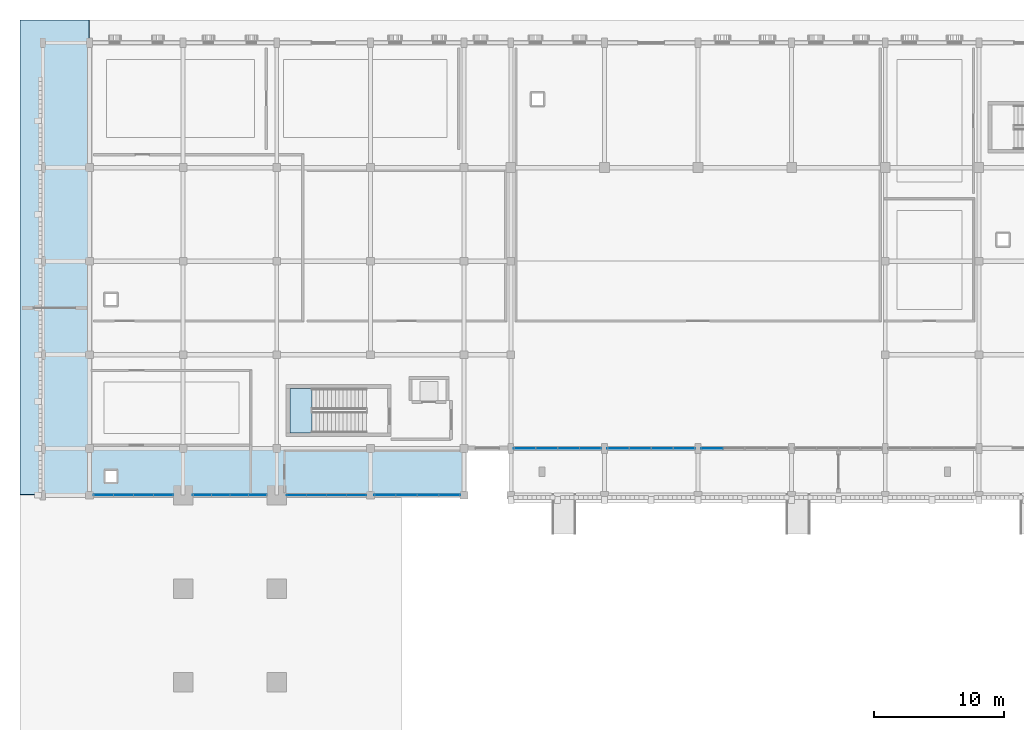
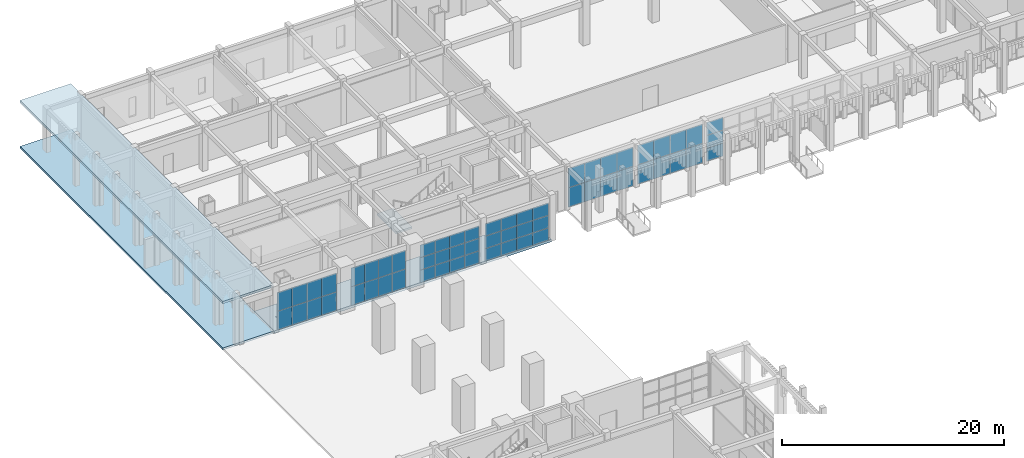
# One storey, part 29 of 72: 59 plates, 4 slabs, 8 elements without a shape of their own.
"""IFC4 building model written with IfcOpenShell, lengths in metres."""

from ifc_helpers import new_model, si_unit, direction, frame, origin, origin_2d, place, context, subcontext, project, spatial, polyline, rectangle, outline, extrude, material, layer, layer_set, type_object, element, aggregate, save


model = new_model("IFC4")

# Units and contexts
model_context = context("Model", 3, precision=1e-05, world=origin(), true_north=direction((0.0, 1.0)))
body_context = subcontext(model_context, "Body", "Model", "MODEL_VIEW")
ifc_project = project(units=[si_unit("LENGTHUNIT", "METRE"), si_unit("AREAUNIT", "SQUARE_METRE"), si_unit("VOLUMEUNIT", "CUBIC_METRE"), si_unit("PLANEANGLEUNIT", "RADIAN"), si_unit("MASSUNIT", "GRAM", prefix="KILO")], contexts=[model_context])

# Site, building, storey
site_placement = place(None, origin())
site = spatial("IfcSite", under=ifc_project, at=site_placement, CompositionType="ELEMENT")
building_placement = place(site_placement, origin())
building = spatial("IfcBuilding", under=site, at=building_placement, Name="Nzembalo Square Collegiate School", CompositionType="ELEMENT")
storey_placement = place(building_placement, origin())
storey = spatial("IfcBuildingStorey", under=building, at=storey_placement, Name="L00", CompositionType="ELEMENT", Elevation=0.0)

# Curtain wall, plates
ifc_material_1 = material(Name="Aluminium 6060-T66", Category="aluminium")
curtain_wall_type_1 = type_object("IfcCurtainWallType", Name="CW-05", PredefinedType="USERDEFINED", material=ifc_material_1)
curtain_wall_1_placement = place(storey_placement, origin())
curtain_wall_1 = element("IfcCurtainWall", 1, at=curtain_wall_1_placement, inside=storey, type_object=curtain_wall_type_1, Name="Curtain wall CW-05 cw:L00:020", ObjectType="LANCET", PredefinedType="USERDEFINED")
ifc_material_2 = material(Name="Laminated solar-control double glazing", Category="glass")
ifc_layer_1 = layer(ifc_material_2, 0.028076171875, Name="Laminated solar-control double glazing")
ifc_layer_set_1 = layer_set([ifc_layer_1], Name="Laminated solar-control double glazing")
plate_type_1 = type_object("IfcPlateType", Name="PN01", PredefinedType="CURTAIN_PANEL", material=ifc_layer_set_1)
plate_1_placement = place(storey_placement, frame((24.3203125, 79.199951171875, 0.00390625), z_axis=(0.0, 0.0, 1.0), x_axis=(1.0, 0.0, 0.0)))
plate_1 = element("IfcPlate", 2, at=plate_1_placement, type_object=plate_type_1, Name="PN01 glazed panel 1-1", PredefinedType="CURTAIN_PANEL", context=body_context, shape_type="SweptSolid", body=[
    extrude(rectangle(XDim=1.528564453125, YDim=0.028076171875, at=origin_2d()), origin(), (0.0, 0.0, 1.0), 1.3701171875),
])
plate_2_placement = place(storey_placement, frame((25.856689453125, 79.199951171875, 0.00390625), z_axis=(0.0, 0.0, 1.0), x_axis=(1.0, 0.0, 0.0)))
plate_2 = element("IfcPlate", 3, at=plate_2_placement, type_object=plate_type_1, Name="PN01 glazed panel 1-2", PredefinedType="CURTAIN_PANEL", context=body_context, shape_type="SweptSolid", body=[
    extrude(rectangle(XDim=1.528564453125, YDim=0.028076171875, at=origin_2d()), origin(), (0.0, 0.0, 1.0), 1.3701171875),
])
plate_3_placement = place(storey_placement, frame((27.393310546875, 79.199951171875, 0.00390625), z_axis=(0.0, 0.0, 1.0), x_axis=(1.0, 0.0, 0.0)))
plate_3 = element("IfcPlate", 4, at=plate_3_placement, type_object=plate_type_1, Name="PN01 glazed panel 1-3", PredefinedType="CURTAIN_PANEL", context=body_context, shape_type="SweptSolid", body=[
    extrude(rectangle(XDim=1.528564453125, YDim=0.028076171875, at=origin_2d()), origin(), (0.0, 0.0, 1.0), 1.3701171875),
])
plate_4_placement = place(storey_placement, frame((28.9296875, 79.199951171875, 0.00390625), z_axis=(0.0, 0.0, 1.0), x_axis=(1.0, 0.0, 0.0)))
plate_4 = element("IfcPlate", 5, at=plate_4_placement, type_object=plate_type_1, Name="PN01 glazed panel 1-4", PredefinedType="CURTAIN_PANEL", context=body_context, shape_type="SweptSolid", body=[
    extrude(rectangle(XDim=1.528564453125, YDim=0.028076171875, at=origin_2d()), origin(), (0.0, 0.0, 1.0), 1.3701171875),
])
plate_5_placement = place(storey_placement, frame((24.3203125, 79.199951171875, 1.3818359375), z_axis=(0.0, 0.0, 1.0), x_axis=(1.0, 0.0, 0.0)))
plate_5 = element("IfcPlate", 6, at=plate_5_placement, type_object=plate_type_1, Name="PN01 glazed panel 2-1", PredefinedType="CURTAIN_PANEL", context=body_context, shape_type="SweptSolid", body=[
    extrude(rectangle(XDim=1.528564453125, YDim=0.028076171875, at=origin_2d()), origin(), (0.0, 0.0, 1.0), 1.3701171875),
])
plate_6_placement = place(storey_placement, frame((25.856689453125, 79.199951171875, 1.3818359375), z_axis=(0.0, 0.0, 1.0), x_axis=(1.0, 0.0, 0.0)))
plate_6 = element("IfcPlate", 7, at=plate_6_placement, type_object=plate_type_1, Name="PN01 glazed panel 2-2", PredefinedType="CURTAIN_PANEL", context=body_context, shape_type="SweptSolid", body=[
    extrude(rectangle(XDim=1.528564453125, YDim=0.028076171875, at=origin_2d()), origin(), (0.0, 0.0, 1.0), 1.3701171875),
])
plate_7_placement = place(storey_placement, frame((27.393310546875, 79.199951171875, 1.3818359375), z_axis=(0.0, 0.0, 1.0), x_axis=(1.0, 0.0, 0.0)))
plate_7 = element("IfcPlate", 8, at=plate_7_placement, type_object=plate_type_1, Name="PN01 glazed panel 2-3", PredefinedType="CURTAIN_PANEL", context=body_context, shape_type="SweptSolid", body=[
    extrude(rectangle(XDim=1.528564453125, YDim=0.028076171875, at=origin_2d()), origin(), (0.0, 0.0, 1.0), 1.3701171875),
])
plate_8_placement = place(storey_placement, frame((28.9296875, 79.199951171875, 1.3818359375), z_axis=(0.0, 0.0, 1.0), x_axis=(1.0, 0.0, 0.0)))
plate_8 = element("IfcPlate", 9, at=plate_8_placement, type_object=plate_type_1, Name="PN01 glazed panel 2-4", PredefinedType="CURTAIN_PANEL", context=body_context, shape_type="SweptSolid", body=[
    extrude(rectangle(XDim=1.528564453125, YDim=0.028076171875, at=origin_2d()), origin(), (0.0, 0.0, 1.0), 1.3701171875),
])
plate_9_placement = place(storey_placement, frame((24.3203125, 79.199951171875, 2.760009765625), z_axis=(0.0, 0.0, 1.0), x_axis=(1.0, 0.0, 0.0)))
plate_9 = element("IfcPlate", 10, at=plate_9_placement, type_object=plate_type_1, Name="PN01 glazed panel 3-1", PredefinedType="CURTAIN_PANEL", context=body_context, shape_type="SweptSolid", body=[
    extrude(rectangle(XDim=1.528564453125, YDim=0.028076171875, at=origin_2d()), origin(), (0.0, 0.0, 1.0), 1.3701171875),
])
plate_10_placement = place(storey_placement, frame((25.856689453125, 79.199951171875, 2.760009765625), z_axis=(0.0, 0.0, 1.0), x_axis=(1.0, 0.0, 0.0)))
plate_10 = element("IfcPlate", 11, at=plate_10_placement, type_object=plate_type_1, Name="PN01 glazed panel 3-2", PredefinedType="CURTAIN_PANEL", context=body_context, shape_type="SweptSolid", body=[
    extrude(rectangle(XDim=1.528564453125, YDim=0.028076171875, at=origin_2d()), origin(), (0.0, 0.0, 1.0), 1.3701171875),
])
plate_11_placement = place(storey_placement, frame((27.393310546875, 79.199951171875, 2.760009765625), z_axis=(0.0, 0.0, 1.0), x_axis=(1.0, 0.0, 0.0)))
plate_11 = element("IfcPlate", 12, at=plate_11_placement, type_object=plate_type_1, Name="PN01 glazed panel 3-3", PredefinedType="CURTAIN_PANEL", context=body_context, shape_type="SweptSolid", body=[
    extrude(rectangle(XDim=1.528564453125, YDim=0.028076171875, at=origin_2d()), origin(), (0.0, 0.0, 1.0), 1.3701171875),
])
plate_12_placement = place(storey_placement, frame((28.9296875, 79.199951171875, 2.760009765625), z_axis=(0.0, 0.0, 1.0), x_axis=(1.0, 0.0, 0.0)))
plate_12 = element("IfcPlate", 13, at=plate_12_placement, type_object=plate_type_1, Name="PN01 glazed panel 3-4", PredefinedType="CURTAIN_PANEL", context=body_context, shape_type="SweptSolid", body=[
    extrude(rectangle(XDim=1.528564453125, YDim=0.028076171875, at=origin_2d()), origin(), (0.0, 0.0, 1.0), 1.3701171875),
])
aggregate(curtain_wall_1, [plate_1, plate_2, plate_3, plate_4, plate_5, plate_6, plate_7, plate_8, plate_9, plate_10, plate_11, plate_12])

curtain_wall_2_placement = place(storey_placement, origin())
curtain_wall_2 = element("IfcCurtainWall", 14, at=curtain_wall_2_placement, inside=storey, type_object=curtain_wall_type_1, Name="Curtain wall CW-05 cw:L00:028", ObjectType="LANCET", PredefinedType="USERDEFINED")
plate_13_placement = place(storey_placement, frame((56.270263671875, 82.800048828125, 0.004150390625), z_axis=(0.0, 0.0, 1.0), x_axis=(1.0, 0.0, 0.0)))
plate_13 = element("IfcPlate", 15, at=plate_13_placement, type_object=plate_type_1, Name="PN01 glazed panel 1-1", PredefinedType="CURTAIN_PANEL", context=body_context, shape_type="SweptSolid", body=[
    extrude(rectangle(XDim=1.678466796875, YDim=0.028076171875, at=origin_2d()), origin(), (0.0, 0.0, 1.0), 1.419921875),
])
plate_14_placement = place(storey_placement, frame((56.270263671875, 82.800048828125, 1.43212890625), z_axis=(0.0, 0.0, 1.0), x_axis=(1.0, 0.0, 0.0)))
plate_14 = element("IfcPlate", 16, at=plate_14_placement, type_object=plate_type_1, Name="PN01 glazed panel 2-1", PredefinedType="CURTAIN_PANEL", context=body_context, shape_type="SweptSolid", body=[
    extrude(rectangle(XDim=1.678466796875, YDim=0.028076171875, at=origin_2d()), origin(), (0.0, 0.0, 1.0), 1.419921875),
])
plate_15_placement = place(storey_placement, frame((56.270263671875, 82.800048828125, 2.860107421875), z_axis=(0.0, 0.0, 1.0), x_axis=(1.0, 0.0, 0.0)))
plate_15 = element("IfcPlate", 17, at=plate_15_placement, type_object=plate_type_1, Name="PN01 glazed panel 3-1", PredefinedType="CURTAIN_PANEL", context=body_context, shape_type="SweptSolid", body=[
    extrude(rectangle(XDim=1.678466796875, YDim=0.028076171875, at=origin_2d()), origin(), (0.0, 0.0, 1.0), 1.419921875),
])
aggregate(curtain_wall_2, [plate_13, plate_14, plate_15])

ifc_material_3 = material(Name="Aluminium 6060-T66", Category="aluminium")
curtain_wall_type_2 = type_object("IfcCurtainWallType", Name="CW-03", PredefinedType="USERDEFINED", material=ifc_material_3)
curtain_wall_3_placement = place(storey_placement, origin())
curtain_wall_3 = element("IfcCurtainWall", 18, at=curtain_wall_3_placement, inside=storey, type_object=curtain_wall_type_2, Name="Curtain wall CW-03 cw:L00:018", ObjectType="UNITISED", PredefinedType="USERDEFINED")
ifc_material_4 = material(Name="Acoustic laminated solar-control glazing", Category="glass")
ifc_layer_2 = layer(ifc_material_4, 0.031982421875, Name="Acoustic laminated solar-control glazing")
ifc_layer_set_2 = layer_set([ifc_layer_2], Name="Acoustic laminated solar-control glazing")
plate_type_2 = type_object("IfcPlateType", Name="PN02", PredefinedType="CURTAIN_PANEL", material=ifc_layer_set_2)
plate_16_placement = place(storey_placement, frame((9.47021484375, 79.199951171875, 0.00390625), z_axis=(0.0, 0.0, 1.0), x_axis=(1.0, 0.0, 0.0)))
plate_16 = element("IfcPlate", 19, at=plate_16_placement, type_object=plate_type_2, Name="PN02 glazed panel 1-1", PredefinedType="CURTAIN_PANEL", context=body_context, shape_type="SweptSolid", body=[
    extrude(rectangle(XDim=1.528564453125, YDim=0.031982421875, at=origin_2d()), origin(), (0.0, 0.0, 1.0), 2.05908203125),
])
plate_17_placement = place(storey_placement, frame((11.0068359375, 79.199951171875, 0.00390625), z_axis=(0.0, 0.0, 1.0), x_axis=(1.0, 0.0, 0.0)))
plate_17 = element("IfcPlate", 20, at=plate_17_placement, type_object=plate_type_2, Name="PN02 glazed panel 1-2", PredefinedType="CURTAIN_PANEL", context=body_context, shape_type="SweptSolid", body=[
    extrude(rectangle(XDim=1.528564453125, YDim=0.031982421875, at=origin_2d()), origin(), (0.0, 0.0, 1.0), 2.05908203125),
])
plate_18_placement = place(storey_placement, frame((12.543212890625, 79.199951171875, 0.00390625), z_axis=(0.0, 0.0, 1.0), x_axis=(1.0, 0.0, 0.0)))
plate_18 = element("IfcPlate", 21, at=plate_18_placement, type_object=plate_type_2, Name="PN02 glazed panel 1-3", PredefinedType="CURTAIN_PANEL", context=body_context, shape_type="SweptSolid", body=[
    extrude(rectangle(XDim=1.528564453125, YDim=0.031982421875, at=origin_2d()), origin(), (0.0, 0.0, 1.0), 2.05908203125),
])
plate_19_placement = place(storey_placement, frame((14.079833984375, 79.199951171875, 0.00390625), z_axis=(0.0, 0.0, 1.0), x_axis=(1.0, 0.0, 0.0)))
plate_19 = element("IfcPlate", 22, at=plate_19_placement, type_object=plate_type_2, Name="PN02 glazed panel 1-4", PredefinedType="CURTAIN_PANEL", context=body_context, shape_type="SweptSolid", body=[
    extrude(rectangle(XDim=1.528564453125, YDim=0.031982421875, at=origin_2d()), origin(), (0.0, 0.0, 1.0), 2.05908203125),
])
plate_20_placement = place(storey_placement, frame((9.47021484375, 79.199951171875, 2.071044921875), z_axis=(0.0, 0.0, 1.0), x_axis=(1.0, 0.0, 0.0)))
plate_20 = element("IfcPlate", 23, at=plate_20_placement, type_object=plate_type_2, Name="PN02 glazed panel 2-1", PredefinedType="CURTAIN_PANEL", context=body_context, shape_type="SweptSolid", body=[
    extrude(rectangle(XDim=1.528564453125, YDim=0.031982421875, at=origin_2d()), origin(), (0.0, 0.0, 1.0), 2.05908203125),
])
plate_21_placement = place(storey_placement, frame((11.0068359375, 79.199951171875, 2.071044921875), z_axis=(0.0, 0.0, 1.0), x_axis=(1.0, 0.0, 0.0)))
plate_21 = element("IfcPlate", 24, at=plate_21_placement, type_object=plate_type_2, Name="PN02 glazed panel 2-2", PredefinedType="CURTAIN_PANEL", context=body_context, shape_type="SweptSolid", body=[
    extrude(rectangle(XDim=1.528564453125, YDim=0.031982421875, at=origin_2d()), origin(), (0.0, 0.0, 1.0), 2.05908203125),
])
plate_22_placement = place(storey_placement, frame((12.543212890625, 79.199951171875, 2.071044921875), z_axis=(0.0, 0.0, 1.0), x_axis=(1.0, 0.0, 0.0)))
plate_22 = element("IfcPlate", 25, at=plate_22_placement, type_object=plate_type_2, Name="PN02 glazed panel 2-3", PredefinedType="CURTAIN_PANEL", context=body_context, shape_type="SweptSolid", body=[
    extrude(rectangle(XDim=1.528564453125, YDim=0.031982421875, at=origin_2d()), origin(), (0.0, 0.0, 1.0), 2.05908203125),
])
plate_23_placement = place(storey_placement, frame((14.079833984375, 79.199951171875, 2.071044921875), z_axis=(0.0, 0.0, 1.0), x_axis=(1.0, 0.0, 0.0)))
plate_23 = element("IfcPlate", 26, at=plate_23_placement, type_object=plate_type_2, Name="PN02 glazed panel 2-4", PredefinedType="CURTAIN_PANEL", context=body_context, shape_type="SweptSolid", body=[
    extrude(rectangle(XDim=1.528564453125, YDim=0.031982421875, at=origin_2d()), origin(), (0.0, 0.0, 1.0), 2.05908203125),
])
aggregate(curtain_wall_3, [plate_16, plate_17, plate_18, plate_19, plate_20, plate_21, plate_22, plate_23])

ifc_material_5 = material(Name="Aluminium 6060-T66", Category="aluminium")
curtain_wall_type_3 = type_object("IfcCurtainWallType", Name="CW-04", PredefinedType="USERDEFINED", material=ifc_material_5)
curtain_wall_4_placement = place(storey_placement, origin())
curtain_wall_4 = element("IfcCurtainWall", 27, at=curtain_wall_4_placement, inside=storey, type_object=curtain_wall_type_3, Name="Curtain wall CW-04 cw:L00:019", ObjectType="UNITISED", PredefinedType="USERDEFINED")
plate_24_placement = place(storey_placement, frame((17.06396484375, 79.199951171875, 0.00390625), z_axis=(0.0, 0.0, 1.0), x_axis=(1.0, 0.0, 0.0)))
plate_24 = element("IfcPlate", 28, at=plate_24_placement, type_object=plate_type_2, Name="PN02 glazed panel 1-1", PredefinedType="CURTAIN_PANEL", context=body_context, shape_type="SweptSolid", body=[
    extrude(rectangle(XDim=1.416015625, YDim=0.031982421875, at=origin_2d()), origin(), (0.0, 0.0, 1.0), 2.05908203125),
])
plate_25_placement = place(storey_placement, frame((18.488037109375, 79.199951171875, 0.00390625), z_axis=(0.0, 0.0, 1.0), x_axis=(1.0, 0.0, 0.0)))
plate_25 = element("IfcPlate", 29, at=plate_25_placement, type_object=plate_type_2, Name="PN02 glazed panel 1-2", PredefinedType="CURTAIN_PANEL", context=body_context, shape_type="SweptSolid", body=[
    extrude(rectangle(XDim=1.416015625, YDim=0.031982421875, at=origin_2d()), origin(), (0.0, 0.0, 1.0), 2.05908203125),
])
plate_26_placement = place(storey_placement, frame((19.912109375, 79.199951171875, 0.00390625), z_axis=(0.0, 0.0, 1.0), x_axis=(1.0, 0.0, 0.0)))
plate_26 = element("IfcPlate", 30, at=plate_26_placement, type_object=plate_type_2, Name="PN02 glazed panel 1-3", PredefinedType="CURTAIN_PANEL", context=body_context, shape_type="SweptSolid", body=[
    extrude(rectangle(XDim=1.416015625, YDim=0.031982421875, at=origin_2d()), origin(), (0.0, 0.0, 1.0), 2.05908203125),
])
plate_27_placement = place(storey_placement, frame((21.3359375, 79.199951171875, 0.00390625), z_axis=(0.0, 0.0, 1.0), x_axis=(1.0, 0.0, 0.0)))
plate_27 = element("IfcPlate", 31, at=plate_27_placement, type_object=plate_type_2, Name="PN02 glazed panel 1-4", PredefinedType="CURTAIN_PANEL", context=body_context, shape_type="SweptSolid", body=[
    extrude(rectangle(XDim=1.416015625, YDim=0.031982421875, at=origin_2d()), origin(), (0.0, 0.0, 1.0), 2.05908203125),
])
plate_28_placement = place(storey_placement, frame((17.06396484375, 79.199951171875, 2.071044921875), z_axis=(0.0, 0.0, 1.0), x_axis=(1.0, 0.0, 0.0)))
plate_28 = element("IfcPlate", 32, at=plate_28_placement, type_object=plate_type_2, Name="PN02 glazed panel 2-1", PredefinedType="CURTAIN_PANEL", context=body_context, shape_type="SweptSolid", body=[
    extrude(rectangle(XDim=1.416015625, YDim=0.031982421875, at=origin_2d()), origin(), (0.0, 0.0, 1.0), 2.05908203125),
])
plate_29_placement = place(storey_placement, frame((18.488037109375, 79.199951171875, 2.071044921875), z_axis=(0.0, 0.0, 1.0), x_axis=(1.0, 0.0, 0.0)))
plate_29 = element("IfcPlate", 33, at=plate_29_placement, type_object=plate_type_2, Name="PN02 glazed panel 2-2", PredefinedType="CURTAIN_PANEL", context=body_context, shape_type="SweptSolid", body=[
    extrude(rectangle(XDim=1.416015625, YDim=0.031982421875, at=origin_2d()), origin(), (0.0, 0.0, 1.0), 2.05908203125),
])
plate_30_placement = place(storey_placement, frame((19.912109375, 79.199951171875, 2.071044921875), z_axis=(0.0, 0.0, 1.0), x_axis=(1.0, 0.0, 0.0)))
plate_30 = element("IfcPlate", 34, at=plate_30_placement, type_object=plate_type_2, Name="PN02 glazed panel 2-3", PredefinedType="CURTAIN_PANEL", context=body_context, shape_type="SweptSolid", body=[
    extrude(rectangle(XDim=1.416015625, YDim=0.031982421875, at=origin_2d()), origin(), (0.0, 0.0, 1.0), 2.05908203125),
])
plate_31_placement = place(storey_placement, frame((21.3359375, 79.199951171875, 2.071044921875), z_axis=(0.0, 0.0, 1.0), x_axis=(1.0, 0.0, 0.0)))
plate_31 = element("IfcPlate", 35, at=plate_31_placement, type_object=plate_type_2, Name="PN02 glazed panel 2-4", PredefinedType="CURTAIN_PANEL", context=body_context, shape_type="SweptSolid", body=[
    extrude(rectangle(XDim=1.416015625, YDim=0.031982421875, at=origin_2d()), origin(), (0.0, 0.0, 1.0), 2.05908203125),
])
aggregate(curtain_wall_4, [plate_24, plate_25, plate_26, plate_27, plate_28, plate_29, plate_30, plate_31])

ifc_material_6 = material(Name="Aluminium 6060-T66", Category="aluminium")
curtain_wall_type_4 = type_object("IfcCurtainWallType", Name="CW-06", PredefinedType="USERDEFINED", material=ifc_material_6)
curtain_wall_5_placement = place(storey_placement, origin())
curtain_wall_5 = element("IfcCurtainWall", 36, at=curtain_wall_5_placement, inside=storey, type_object=curtain_wall_type_4, Name="Curtain wall CW-06 cw:L00:021", ObjectType="LANCET", PredefinedType="USERDEFINED")
plate_32_placement = place(storey_placement, frame((31.12646484375, 79.199951171875, 0.00390625), z_axis=(0.0, 0.0, 1.0), x_axis=(1.0, 0.0, 0.0)))
plate_32 = element("IfcPlate", 37, at=plate_32_placement, type_object=plate_type_2, Name="PN02 glazed panel 1-1", PredefinedType="CURTAIN_PANEL", context=body_context, shape_type="SweptSolid", body=[
    extrude(rectangle(XDim=1.64111328125, YDim=0.031982421875, at=origin_2d()), origin(), (0.0, 0.0, 1.0), 1.3701171875),
])
plate_33_placement = place(storey_placement, frame((32.775390625, 79.199951171875, 0.00390625), z_axis=(0.0, 0.0, 1.0), x_axis=(1.0, 0.0, 0.0)))
plate_33 = element("IfcPlate", 38, at=plate_33_placement, type_object=plate_type_2, Name="PN02 glazed panel 1-2", PredefinedType="CURTAIN_PANEL", context=body_context, shape_type="SweptSolid", body=[
    extrude(rectangle(XDim=1.64111328125, YDim=0.031982421875, at=origin_2d()), origin(), (0.0, 0.0, 1.0), 1.3701171875),
])
plate_34_placement = place(storey_placement, frame((34.424560546875, 79.199951171875, 0.00390625), z_axis=(0.0, 0.0, 1.0), x_axis=(1.0, 0.0, 0.0)))
plate_34 = element("IfcPlate", 39, at=plate_34_placement, type_object=plate_type_2, Name="PN02 glazed panel 1-3", PredefinedType="CURTAIN_PANEL", context=body_context, shape_type="SweptSolid", body=[
    extrude(rectangle(XDim=1.64111328125, YDim=0.031982421875, at=origin_2d()), origin(), (0.0, 0.0, 1.0), 1.3701171875),
])
plate_35_placement = place(storey_placement, frame((36.073486328125, 79.199951171875, 0.00390625), z_axis=(0.0, 0.0, 1.0), x_axis=(1.0, 0.0, 0.0)))
plate_35 = element("IfcPlate", 40, at=plate_35_placement, type_object=plate_type_2, Name="PN02 glazed panel 1-4", PredefinedType="CURTAIN_PANEL", context=body_context, shape_type="SweptSolid", body=[
    extrude(rectangle(XDim=1.64111328125, YDim=0.031982421875, at=origin_2d()), origin(), (0.0, 0.0, 1.0), 1.3701171875),
])
plate_36_placement = place(storey_placement, frame((31.12646484375, 79.199951171875, 1.3818359375), z_axis=(0.0, 0.0, 1.0), x_axis=(1.0, 0.0, 0.0)))
plate_36 = element("IfcPlate", 41, at=plate_36_placement, type_object=plate_type_2, Name="PN02 glazed panel 2-1", PredefinedType="CURTAIN_PANEL", context=body_context, shape_type="SweptSolid", body=[
    extrude(rectangle(XDim=1.64111328125, YDim=0.031982421875, at=origin_2d()), origin(), (0.0, 0.0, 1.0), 1.3701171875),
])
plate_37_placement = place(storey_placement, frame((32.775390625, 79.199951171875, 1.3818359375), z_axis=(0.0, 0.0, 1.0), x_axis=(1.0, 0.0, 0.0)))
plate_37 = element("IfcPlate", 42, at=plate_37_placement, type_object=plate_type_2, Name="PN02 glazed panel 2-2", PredefinedType="CURTAIN_PANEL", context=body_context, shape_type="SweptSolid", body=[
    extrude(rectangle(XDim=1.64111328125, YDim=0.031982421875, at=origin_2d()), origin(), (0.0, 0.0, 1.0), 1.3701171875),
])
plate_38_placement = place(storey_placement, frame((34.424560546875, 79.199951171875, 1.3818359375), z_axis=(0.0, 0.0, 1.0), x_axis=(1.0, 0.0, 0.0)))
plate_38 = element("IfcPlate", 43, at=plate_38_placement, type_object=plate_type_2, Name="PN02 glazed panel 2-3", PredefinedType="CURTAIN_PANEL", context=body_context, shape_type="SweptSolid", body=[
    extrude(rectangle(XDim=1.64111328125, YDim=0.031982421875, at=origin_2d()), origin(), (0.0, 0.0, 1.0), 1.3701171875),
])
plate_39_placement = place(storey_placement, frame((36.073486328125, 79.199951171875, 1.3818359375), z_axis=(0.0, 0.0, 1.0), x_axis=(1.0, 0.0, 0.0)))
plate_39 = element("IfcPlate", 44, at=plate_39_placement, type_object=plate_type_2, Name="PN02 glazed panel 2-4", PredefinedType="CURTAIN_PANEL", context=body_context, shape_type="SweptSolid", body=[
    extrude(rectangle(XDim=1.64111328125, YDim=0.031982421875, at=origin_2d()), origin(), (0.0, 0.0, 1.0), 1.3701171875),
])
plate_40_placement = place(storey_placement, frame((31.12646484375, 79.199951171875, 2.760009765625), z_axis=(0.0, 0.0, 1.0), x_axis=(1.0, 0.0, 0.0)))
plate_40 = element("IfcPlate", 45, at=plate_40_placement, type_object=plate_type_2, Name="PN02 glazed panel 3-1", PredefinedType="CURTAIN_PANEL", context=body_context, shape_type="SweptSolid", body=[
    extrude(rectangle(XDim=1.64111328125, YDim=0.031982421875, at=origin_2d()), origin(), (0.0, 0.0, 1.0), 1.3701171875),
])
plate_41_placement = place(storey_placement, frame((32.775390625, 79.199951171875, 2.760009765625), z_axis=(0.0, 0.0, 1.0), x_axis=(1.0, 0.0, 0.0)))
plate_41 = element("IfcPlate", 46, at=plate_41_placement, type_object=plate_type_2, Name="PN02 glazed panel 3-2", PredefinedType="CURTAIN_PANEL", context=body_context, shape_type="SweptSolid", body=[
    extrude(rectangle(XDim=1.64111328125, YDim=0.031982421875, at=origin_2d()), origin(), (0.0, 0.0, 1.0), 1.3701171875),
])
plate_42_placement = place(storey_placement, frame((34.424560546875, 79.199951171875, 2.760009765625), z_axis=(0.0, 0.0, 1.0), x_axis=(1.0, 0.0, 0.0)))
plate_42 = element("IfcPlate", 47, at=plate_42_placement, type_object=plate_type_2, Name="PN02 glazed panel 3-3", PredefinedType="CURTAIN_PANEL", context=body_context, shape_type="SweptSolid", body=[
    extrude(rectangle(XDim=1.64111328125, YDim=0.031982421875, at=origin_2d()), origin(), (0.0, 0.0, 1.0), 1.3701171875),
])
plate_43_placement = place(storey_placement, frame((36.073486328125, 79.199951171875, 2.760009765625), z_axis=(0.0, 0.0, 1.0), x_axis=(1.0, 0.0, 0.0)))
plate_43 = element("IfcPlate", 48, at=plate_43_placement, type_object=plate_type_2, Name="PN02 glazed panel 3-4", PredefinedType="CURTAIN_PANEL", context=body_context, shape_type="SweptSolid", body=[
    extrude(rectangle(XDim=1.64111328125, YDim=0.031982421875, at=origin_2d()), origin(), (0.0, 0.0, 1.0), 1.3701171875),
])
aggregate(curtain_wall_5, [plate_32, plate_33, plate_34, plate_35, plate_36, plate_37, plate_38, plate_39, plate_40, plate_41, plate_42, plate_43])

curtain_wall_6_placement = place(storey_placement, origin())
curtain_wall_6 = element("IfcCurtainWall", 49, at=curtain_wall_6_placement, inside=storey, type_object=curtain_wall_type_2, Name="Curtain wall CW-03 cw:L00:026", ObjectType="UNITISED", PredefinedType="USERDEFINED")
plate_44_placement = place(storey_placement, frame((41.870361328125, 82.800048828125, 0.00390625), z_axis=(0.0, 0.0, 1.0), x_axis=(1.0, 0.0, 0.0)))
plate_44 = element("IfcPlate", 50, at=plate_44_placement, type_object=plate_type_2, Name="PN02 glazed panel 1-1", PredefinedType="CURTAIN_PANEL", context=body_context, shape_type="SweptSolid", body=[
    extrude(rectangle(XDim=1.678466796875, YDim=0.031982421875, at=origin_2d()), origin(), (0.0, 0.0, 1.0), 2.134033203125),
])
plate_45_placement = place(storey_placement, frame((43.556640625, 82.800048828125, 0.00390625), z_axis=(0.0, 0.0, 1.0), x_axis=(1.0, 0.0, 0.0)))
plate_45 = element("IfcPlate", 51, at=plate_45_placement, type_object=plate_type_2, Name="PN02 glazed panel 1-2", PredefinedType="CURTAIN_PANEL", context=body_context, shape_type="SweptSolid", body=[
    extrude(rectangle(XDim=1.678466796875, YDim=0.031982421875, at=origin_2d()), origin(), (0.0, 0.0, 1.0), 2.134033203125),
])
plate_46_placement = place(storey_placement, frame((45.2431640625, 82.800048828125, 0.00390625), z_axis=(0.0, 0.0, 1.0), x_axis=(1.0, 0.0, 0.0)))
plate_46 = element("IfcPlate", 52, at=plate_46_placement, type_object=plate_type_2, Name="PN02 glazed panel 1-3", PredefinedType="CURTAIN_PANEL", context=body_context, shape_type="SweptSolid", body=[
    extrude(rectangle(XDim=1.678466796875, YDim=0.031982421875, at=origin_2d()), origin(), (0.0, 0.0, 1.0), 2.134033203125),
])
plate_47_placement = place(storey_placement, frame((46.9296875, 82.800048828125, 0.00390625), z_axis=(0.0, 0.0, 1.0), x_axis=(1.0, 0.0, 0.0)))
plate_47 = element("IfcPlate", 53, at=plate_47_placement, type_object=plate_type_2, Name="PN02 glazed panel 1-4", PredefinedType="CURTAIN_PANEL", context=body_context, shape_type="SweptSolid", body=[
    extrude(rectangle(XDim=1.678466796875, YDim=0.031982421875, at=origin_2d()), origin(), (0.0, 0.0, 1.0), 2.134033203125),
])
plate_48_placement = place(storey_placement, frame((41.870361328125, 82.800048828125, 2.14599609375), z_axis=(0.0, 0.0, 1.0), x_axis=(1.0, 0.0, 0.0)))
plate_48 = element("IfcPlate", 54, at=plate_48_placement, type_object=plate_type_2, Name="PN02 glazed panel 2-1", PredefinedType="CURTAIN_PANEL", context=body_context, shape_type="SweptSolid", body=[
    extrude(rectangle(XDim=1.678466796875, YDim=0.031982421875, at=origin_2d()), origin(), (0.0, 0.0, 1.0), 2.134033203125),
])
plate_49_placement = place(storey_placement, frame((43.556640625, 82.800048828125, 2.14599609375), z_axis=(0.0, 0.0, 1.0), x_axis=(1.0, 0.0, 0.0)))
plate_49 = element("IfcPlate", 55, at=plate_49_placement, type_object=plate_type_2, Name="PN02 glazed panel 2-2", PredefinedType="CURTAIN_PANEL", context=body_context, shape_type="SweptSolid", body=[
    extrude(rectangle(XDim=1.678466796875, YDim=0.031982421875, at=origin_2d()), origin(), (0.0, 0.0, 1.0), 2.134033203125),
])
plate_50_placement = place(storey_placement, frame((45.2431640625, 82.800048828125, 2.14599609375), z_axis=(0.0, 0.0, 1.0), x_axis=(1.0, 0.0, 0.0)))
plate_50 = element("IfcPlate", 56, at=plate_50_placement, type_object=plate_type_2, Name="PN02 glazed panel 2-3", PredefinedType="CURTAIN_PANEL", context=body_context, shape_type="SweptSolid", body=[
    extrude(rectangle(XDim=1.678466796875, YDim=0.031982421875, at=origin_2d()), origin(), (0.0, 0.0, 1.0), 2.134033203125),
])
plate_51_placement = place(storey_placement, frame((46.9296875, 82.800048828125, 2.14599609375), z_axis=(0.0, 0.0, 1.0), x_axis=(1.0, 0.0, 0.0)))
plate_51 = element("IfcPlate", 57, at=plate_51_placement, type_object=plate_type_2, Name="PN02 glazed panel 2-4", PredefinedType="CURTAIN_PANEL", context=body_context, shape_type="SweptSolid", body=[
    extrude(rectangle(XDim=1.678466796875, YDim=0.031982421875, at=origin_2d()), origin(), (0.0, 0.0, 1.0), 2.134033203125),
])
aggregate(curtain_wall_6, [plate_44, plate_45, plate_46, plate_47, plate_48, plate_49, plate_50, plate_51])

curtain_wall_7_placement = place(storey_placement, origin())
curtain_wall_7 = element("IfcCurtainWall", 58, at=curtain_wall_7_placement, inside=storey, type_object=curtain_wall_type_3, Name="Curtain wall CW-04 cw:L00:027", ObjectType="UNITISED", PredefinedType="USERDEFINED")
plate_52_placement = place(storey_placement, frame((49.0703125, 82.800048828125, 0.00390625), z_axis=(0.0, 0.0, 1.0), x_axis=(1.0, 0.0, 0.0)))
plate_52 = element("IfcPlate", 59, at=plate_52_placement, type_object=plate_type_2, Name="PN02 glazed panel 1-1", PredefinedType="CURTAIN_PANEL", context=body_context, shape_type="SweptSolid", body=[
    extrude(rectangle(XDim=1.678466796875, YDim=0.031982421875, at=origin_2d()), origin(), (0.0, 0.0, 1.0), 2.134033203125),
])
plate_53_placement = place(storey_placement, frame((50.7568359375, 82.800048828125, 0.00390625), z_axis=(0.0, 0.0, 1.0), x_axis=(1.0, 0.0, 0.0)))
plate_53 = element("IfcPlate", 60, at=plate_53_placement, type_object=plate_type_2, Name="PN02 glazed panel 1-2", PredefinedType="CURTAIN_PANEL", context=body_context, shape_type="SweptSolid", body=[
    extrude(rectangle(XDim=1.678466796875, YDim=0.031982421875, at=origin_2d()), origin(), (0.0, 0.0, 1.0), 2.134033203125),
])
plate_54_placement = place(storey_placement, frame((52.443359375, 82.800048828125, 0.00390625), z_axis=(0.0, 0.0, 1.0), x_axis=(1.0, 0.0, 0.0)))
plate_54 = element("IfcPlate", 61, at=plate_54_placement, type_object=plate_type_2, Name="PN02 glazed panel 1-3", PredefinedType="CURTAIN_PANEL", context=body_context, shape_type="SweptSolid", body=[
    extrude(rectangle(XDim=1.678466796875, YDim=0.031982421875, at=origin_2d()), origin(), (0.0, 0.0, 1.0), 2.134033203125),
])
plate_55_placement = place(storey_placement, frame((54.129638671875, 82.800048828125, 0.00390625), z_axis=(0.0, 0.0, 1.0), x_axis=(1.0, 0.0, 0.0)))
plate_55 = element("IfcPlate", 62, at=plate_55_placement, type_object=plate_type_2, Name="PN02 glazed panel 1-4", PredefinedType="CURTAIN_PANEL", context=body_context, shape_type="SweptSolid", body=[
    extrude(rectangle(XDim=1.678466796875, YDim=0.031982421875, at=origin_2d()), origin(), (0.0, 0.0, 1.0), 2.134033203125),
])
plate_56_placement = place(storey_placement, frame((49.0703125, 82.800048828125, 2.14599609375), z_axis=(0.0, 0.0, 1.0), x_axis=(1.0, 0.0, 0.0)))
plate_56 = element("IfcPlate", 63, at=plate_56_placement, type_object=plate_type_2, Name="PN02 glazed panel 2-1", PredefinedType="CURTAIN_PANEL", context=body_context, shape_type="SweptSolid", body=[
    extrude(rectangle(XDim=1.678466796875, YDim=0.031982421875, at=origin_2d()), origin(), (0.0, 0.0, 1.0), 2.134033203125),
])
plate_57_placement = place(storey_placement, frame((50.7568359375, 82.800048828125, 2.14599609375), z_axis=(0.0, 0.0, 1.0), x_axis=(1.0, 0.0, 0.0)))
plate_57 = element("IfcPlate", 64, at=plate_57_placement, type_object=plate_type_2, Name="PN02 glazed panel 2-2", PredefinedType="CURTAIN_PANEL", context=body_context, shape_type="SweptSolid", body=[
    extrude(rectangle(XDim=1.678466796875, YDim=0.031982421875, at=origin_2d()), origin(), (0.0, 0.0, 1.0), 2.134033203125),
])
plate_58_placement = place(storey_placement, frame((52.443359375, 82.800048828125, 2.14599609375), z_axis=(0.0, 0.0, 1.0), x_axis=(1.0, 0.0, 0.0)))
plate_58 = element("IfcPlate", 65, at=plate_58_placement, type_object=plate_type_2, Name="PN02 glazed panel 2-3", PredefinedType="CURTAIN_PANEL", context=body_context, shape_type="SweptSolid", body=[
    extrude(rectangle(XDim=1.678466796875, YDim=0.031982421875, at=origin_2d()), origin(), (0.0, 0.0, 1.0), 2.134033203125),
])
plate_59_placement = place(storey_placement, frame((54.129638671875, 82.800048828125, 2.14599609375), z_axis=(0.0, 0.0, 1.0), x_axis=(1.0, 0.0, 0.0)))
plate_59 = element("IfcPlate", 66, at=plate_59_placement, type_object=plate_type_2, Name="PN02 glazed panel 2-4", PredefinedType="CURTAIN_PANEL", context=body_context, shape_type="SweptSolid", body=[
    extrude(rectangle(XDim=1.678466796875, YDim=0.031982421875, at=origin_2d()), origin(), (0.0, 0.0, 1.0), 2.134033203125),
])
aggregate(curtain_wall_7, [plate_52, plate_53, plate_54, plate_55, plate_56, plate_57, plate_58, plate_59])

# Stair, slab
ifc_material_7 = material(Name="Precast concrete C40/50", Category="concrete")
stair_type = type_object("IfcStairType", Name="ST-30R", PredefinedType="HALF_TURN_STAIR", material=ifc_material_7)
stair_placement = place(storey_placement, origin())
stair = element("IfcStair", 67, at=stair_placement, inside=storey, type_object=stair_type, Name="Escape stair ST-06 (C2 L00)", PredefinedType="HALF_TURN_STAIR")
ifc_material_8 = material(Name="Precast concrete C40/50", Category="concrete")
ifc_layer_3 = layer(ifc_material_8, 0.199951171875, Name="Precast concrete C40/50")
ifc_layer_set_3 = layer_set([ifc_layer_3], Name="Precast concrete C40/50")
slab_type_1 = type_object("IfcSlabType", Name="SL-LDG", PredefinedType="LANDING", material=ifc_layer_set_3)
slab_1_placement = place(storey_placement, frame((0.0, 0.0, 2.35009765625)))
slab_1 = element("IfcSlab", 68, at=slab_1_placement, type_object=slab_type_1, Name="ST-06 landing 1", PredefinedType="LANDING", context=body_context, shape_type="SweptSolid", body=[
    extrude(outline(polyline([(25.5, 87.39990234375), (23.800048828125, 87.39990234375), (23.800048828125, 84.0), (25.5, 84.0), (25.5, 87.39990234375)])), origin(), (0.0, 0.0, 1.0), 0.199951171875),
])
aggregate(stair, [slab_1])

# Slabs
ifc_material_9 = material(Name="CLT CL24", Category="wood")
ifc_layer_4 = layer(ifc_material_9, 0.27001953125, Name="CLT CL24")
ifc_layer_set_4 = layer_set([ifc_layer_4], Name="CLT CL24")
slab_type_2 = type_object("IfcSlabType", Name="RS-F27", PredefinedType="ROOF", material=ifc_layer_set_4)
slab_2_placement = place(storey_placement, frame((0.0, 0.0, 4.800048828125)))
element("IfcSlab", 69, at=slab_2_placement, inside=storey, type_object=slab_type_2, Name="Step roof slab RS-ARC-WN", PredefinedType="ROOF", context=body_context, shape_type="SweptSolid", body=[
    extrude(outline(polyline([(3.06005859375, 79.260009765625), (8.340087890625, 79.260009765625), (8.340087890625, 115.739990234375), (3.06005859375, 115.739990234375), (3.06005859375, 79.260009765625)])), origin(), (0.0, 0.0, 1.0), 0.27001953125),
])
ifc_material_10 = material(Name="Concrete C35/45", Category="concrete")
ifc_layer_5 = layer(ifc_material_10, 0.219970703125, Name="Concrete C35/45")
ifc_layer_set_5 = layer_set([ifc_layer_5], Name="Concrete C35/45")
slab_type_3 = type_object("IfcSlabType", Name="SL-00E", PredefinedType="FLOOR", material=ifc_layer_set_5)
slab_3_placement = place(storey_placement, frame((0.0, 0.0, -0.219970703125)))
element("IfcSlab", 70, at=slab_3_placement, inside=storey, type_object=slab_type_3, Name="Slab SL-L00-25", PredefinedType="FLOOR", context=body_context, shape_type="SweptSolid", body=[
    extrude(outline(polyline([(3.050048828125, 79.199951171875), (8.39990234375, 79.199951171875), (8.39990234375, 115.75), (3.050048828125, 115.75), (3.050048828125, 79.199951171875)])), origin(), (0.0, 0.0, 1.0), 0.219970703125),
])
ifc_material_11 = material(Name="Concrete C35/45", Category="concrete")
ifc_layer_6 = layer(ifc_material_11, 0.280029296875, Name="Concrete C35/45")
ifc_layer_set_6 = layer_set([ifc_layer_6], Name="Concrete C35/45")
slab_type_4 = type_object("IfcSlabType", Name="SL-00", PredefinedType="FLOOR", material=ifc_layer_set_6)
slab_4_placement = place(storey_placement, frame((0.0, 0.0, -0.280029296875)))
element("IfcSlab", 71, at=slab_4_placement, inside=storey, type_object=slab_type_4, Name="Slab SL-L00-09", PredefinedType="FLOOR", context=body_context, shape_type="SweptSolid", body=[
    extrude(outline(polyline([(8.39990234375, 79.199951171875), (37.199951171875, 79.199951171875), (37.199951171875, 82.800048828125), (8.39990234375, 82.800048828125), (8.39990234375, 79.199951171875)]), holes=[polyline([(9.60009765625, 80.199951171875), (10.5, 80.199951171875), (10.5, 81.10009765625), (9.60009765625, 81.10009765625), (9.60009765625, 80.199951171875)])]), origin(), (0.0, 0.0, 1.0), 0.280029296875),
])

save(model, "model.ifc")
